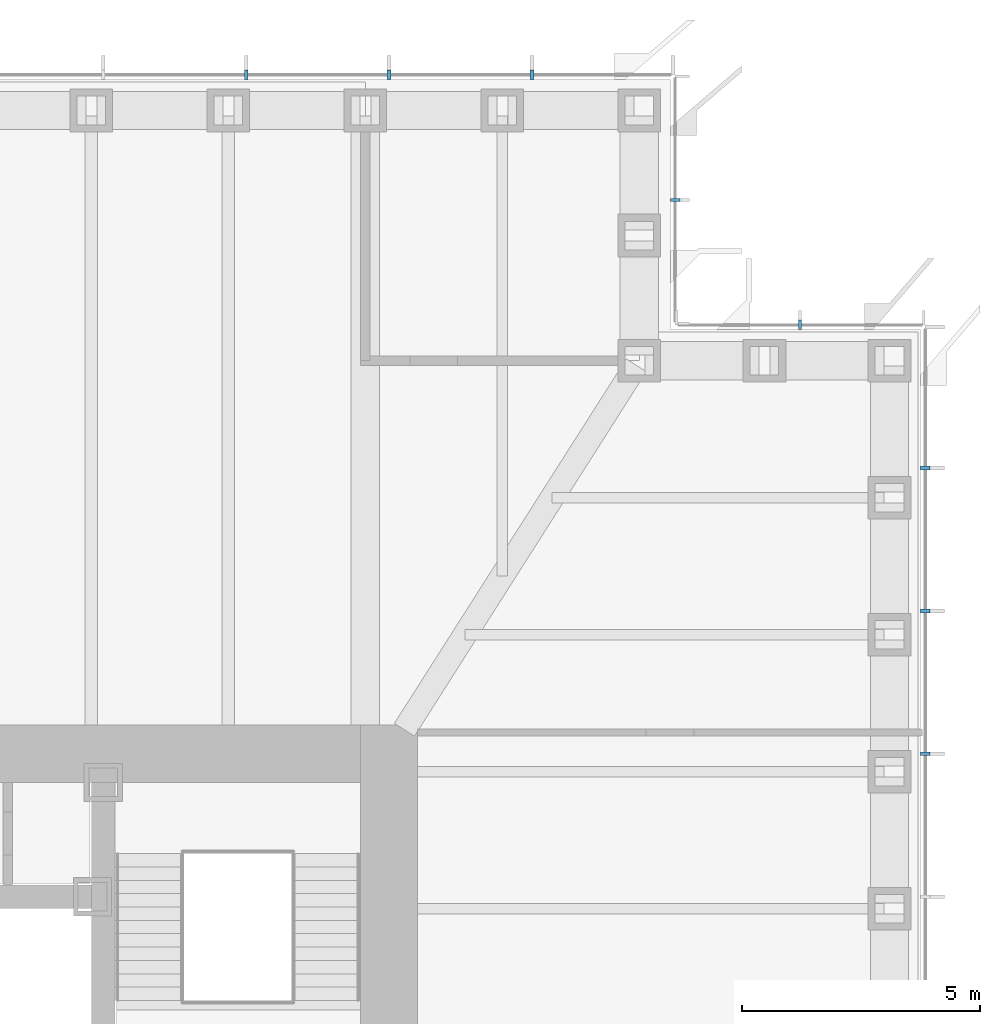
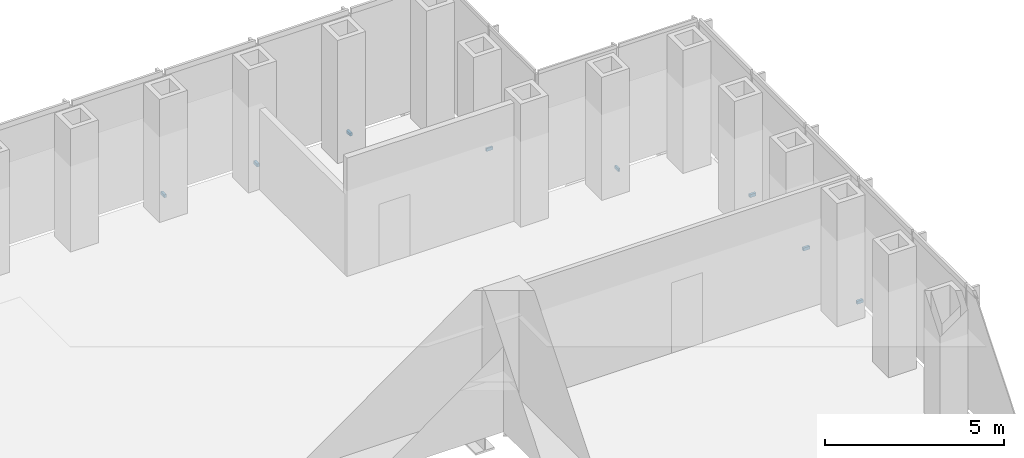
# One storey, part 15 of 17: 8 discrete accessories.
"""IFC4 building model written with IfcOpenShell, lengths in metres."""

from ifc_helpers import new_model, si_unit, direction, frame, origin, origin_2d, place, context, subcontext, project, spatial, rectangle, extrude, element, save


model = new_model("IFC4")

# Units and contexts
model_context = context("Model", 3, precision=1e-05, world=origin(), true_north=direction((0.0, 1.0)))
body_context = subcontext(model_context, "Body", "Model", "MODEL_VIEW")
ifc_project = project(units=[si_unit("LENGTHUNIT", "METRE"), si_unit("AREAUNIT", "SQUARE_METRE"), si_unit("VOLUMEUNIT", "CUBIC_METRE"), si_unit("PLANEANGLEUNIT", "RADIAN"), si_unit("MASSUNIT", "GRAM", prefix="KILO")], contexts=[model_context])

# Site, building, storey
site_placement = place(None, origin())
site = spatial("IfcSite", under=ifc_project, at=site_placement, CompositionType="ELEMENT")
building_placement = place(site_placement, origin())
building = spatial("IfcBuilding", under=site, at=building_placement, Name="Daluyong Arena Tower", CompositionType="ELEMENT")
storey_placement = place(building_placement, frame((0.0, 0.0, 112.300048828125)))
storey = spatial("IfcBuildingStorey", under=building, at=storey_placement, Name="L24", CompositionType="ELEMENT", Elevation=112.300048828125)

# Discrete accessories
for number, where, z_axis, x_axis, name in (
    (1, (79.25, 89.0, -0.10009765625), (0.0, 0.0, 1.0), (0.0, 1.0, 0.0), "curtain wall L24 E anchor bracket 10"),
    (2, (79.25, 92.0, -0.10009765625), (0.0, 0.0, 1.0), (0.0, 1.0, 0.0), "curtain wall L24 E anchor bracket 11"),
    (3, (79.25, 95.0, -0.10009765625), (0.0, 0.0, 1.0), (0.0, 1.0, 0.0), "curtain wall L24 E anchor bracket 12"),
):
    element("IfcDiscreteAccessory", number, at=place(storey_placement, frame(where, z_axis=z_axis, x_axis=x_axis)), inside=storey, Name=name, PredefinedType="BRACKET", context=body_context, shape_type="SweptSolid", body=[
        extrude(rectangle(XDim=0.080078125, YDim=0.199951171875, at=origin_2d()), origin(), (0.0, 0.0, 1.0), 0.10009765625),
    ])
for number, where, z_axis, x_axis, name in (
    (4, (76.625, 98.0, -0.10009765625), (0.0, 0.0, 1.0), (-1.0, 0.0, 0.0), "curtain wall L24 NE-N anchor bracket 2"),
    (5, (74.0, 100.625, -0.10009765625), (0.0, 0.0, 1.0), (0.0, 1.0, 0.0), "curtain wall L24 NE-E anchor bracket 2"),
):
    element("IfcDiscreteAccessory", number, at=place(storey_placement, frame(where, z_axis=z_axis, x_axis=x_axis)), inside=storey, Name=name, PredefinedType="BRACKET", context=body_context, shape_type="SweptSolid", body=[
        extrude(rectangle(XDim=0.06005859375, YDim=0.199951171875, at=origin_2d()), origin(), (0.0, 0.0, 1.0), 0.10009765625),
    ])
for number, where, z_axis, x_axis, name in (
    (6, (71.0, 103.25, -0.10009765625), (0.0, 0.0, 1.0), (-1.0, 0.0, 0.0), "curtain wall L24 N anchor bracket 2"),
    (7, (68.0, 103.25, -0.10009765625), (0.0, 0.0, 1.0), (-1.0, 0.0, 0.0), "curtain wall L24 N anchor bracket 3"),
    (8, (65.0, 103.25, -0.10009765625), (0.0, 0.0, 1.0), (-1.0, 0.0, 0.0), "curtain wall L24 N anchor bracket 4"),
):
    element("IfcDiscreteAccessory", number, at=place(storey_placement, frame(where, z_axis=z_axis, x_axis=x_axis)), inside=storey, Name=name, PredefinedType="BRACKET", context=body_context, shape_type="SweptSolid", body=[
        extrude(rectangle(XDim=0.080078125, YDim=0.199951171875, at=origin_2d()), origin(), (0.0, 0.0, 1.0), 0.10009765625),
    ])

save(model, "model.ifc")
